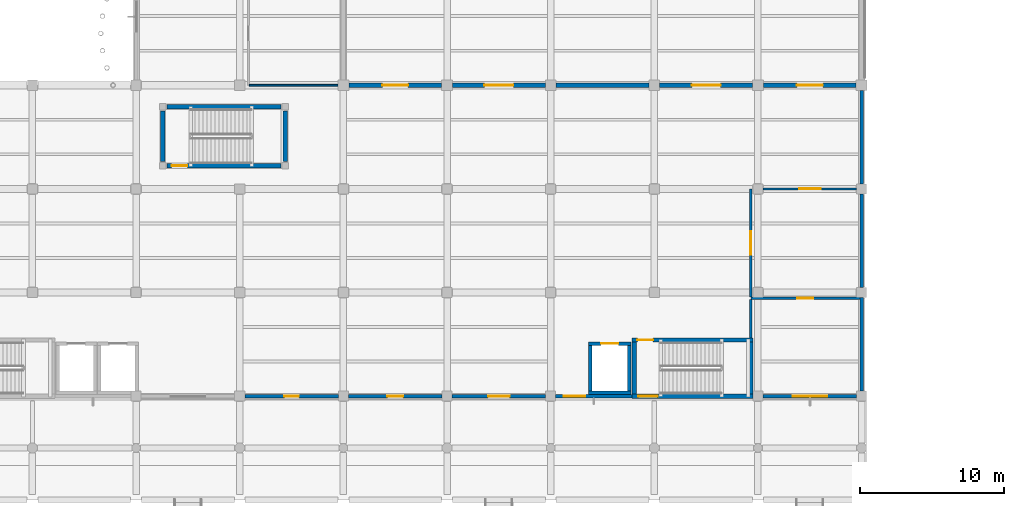
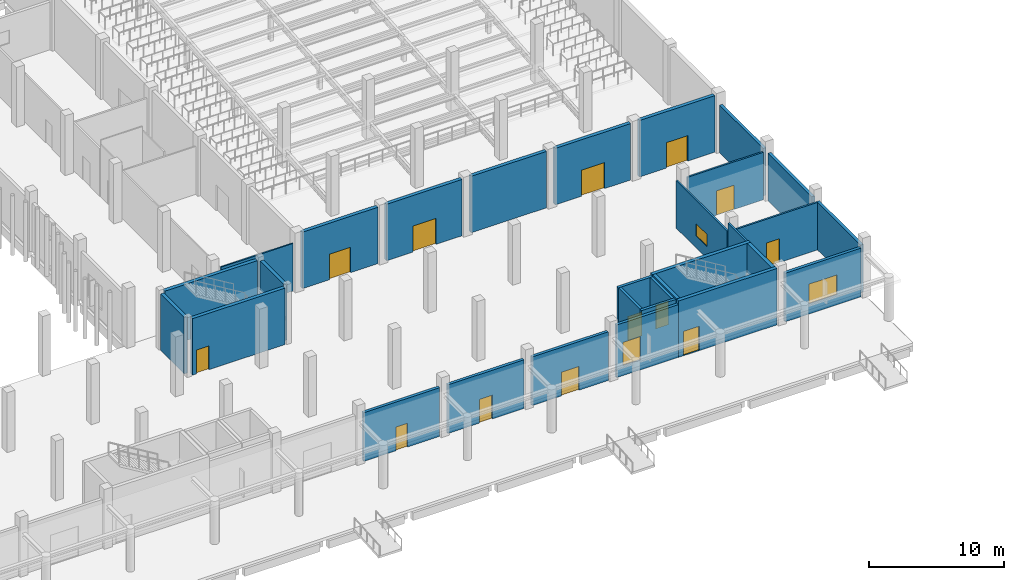
# One storey, part 25 of 46: 30 walls, 13 doors, 3 windows, 16 openings.
"""IFC4 building model written with IfcOpenShell, lengths in metres."""

from ifc_helpers import new_model, si_unit, direction, frame, frame_2d, origin, place, context, subcontext, project, spatial, rectangle, extrude, material, layer, layer_set, type_object, element, fill, save


model = new_model("IFC4")

# Units and contexts
model_context = context("Model", 3, precision=1e-05, world=origin(), true_north=direction((0.0, 1.0)))
body_context = subcontext(model_context, "Body", "Model", "MODEL_VIEW")
ifc_project = project(units=[si_unit("LENGTHUNIT", "METRE"), si_unit("AREAUNIT", "SQUARE_METRE"), si_unit("VOLUMEUNIT", "CUBIC_METRE"), si_unit("PLANEANGLEUNIT", "RADIAN"), si_unit("MASSUNIT", "GRAM", prefix="KILO"), si_unit("THERMODYNAMICTEMPERATUREUNIT", "KELVIN"), si_unit("POWERUNIT", "WATT")], contexts=[model_context])

# Site, building, storey
site_placement = place(None, origin())
site = spatial("IfcSite", under=ifc_project, at=site_placement, CompositionType="ELEMENT")
building_placement = place(site_placement, origin())
building = spatial("IfcBuilding", under=site, at=building_placement, Name="Kaldorven Railside Theatre", CompositionType="ELEMENT")
storey_placement = place(building_placement, origin())
storey = spatial("IfcBuildingStorey", under=building, at=storey_placement, Name="L00", CompositionType="ELEMENT", Elevation=0.0)

# Wall, opening, window
ifc_material_1 = material(Name="Precast concrete C40/50", Category="concrete")
ifc_layer_1 = layer(ifc_material_1, 0.25, Name="Precast concrete C40/50")
ifc_layer_set_1 = layer_set([ifc_layer_1], Name="Precast concrete C40/50")
wall_type_1 = type_object("IfcWallType", Name="WL-EW06", PredefinedType="SOLIDWALL", material=ifc_layer_set_1)
wall_1_placement = place(storey_placement, frame((122.85009765625, 19.199951171875, 0.0), z_axis=(0.0, 0.0, 1.0), x_axis=(-1.0, 0.0, 0.0)))
wall_1 = element("IfcWall", 1, at=wall_1_placement, inside=storey, type_object=wall_type_1, Name="V5 L00 Exterior Wall EW-0195", PredefinedType="SOLIDWALL", context=body_context, shape_type="SweptSolid", body=[
    extrude(rectangle(XDim=6.5, YDim=0.25, at=frame_2d((3.25, 0.0))), origin(), (0.0, 0.0, 1.0), 4.39501953125),
])
opening_1_placement = place(wall_1_placement, frame((2.050048828125, 0.0, 0.89990234375)))
opening_1 = element("IfcOpeningElement", 2, at=opening_1_placement, cuts=wall_1, Name="Opening WN-032", PredefinedType="OPENING", context=body_context, shape_type="SweptSolid", body=[
    extrude(rectangle(XDim=2.39990234375, YDim=1.800048828125, at=frame_2d((1.199951171875, 0.89990234375))), frame((0.0, 0.135009765625, 0.0), z_axis=(0.0, -1.0, 0.0), x_axis=(1.0, 0.0, 0.0)), (0.0, 0.0, 1.0), 0.27001953125),
])
ifc_material_2 = material(Name="Low-E laminated solar-control glass", Category="glass")
window_type_1 = type_object("IfcWindowType", Name="WN-EW07", PartitioningType="SINGLE_PANEL", PredefinedType="WINDOW", material=ifc_material_2)
window_1_placement = place(opening_1_placement, origin())
window_1 = element("IfcWindow", 3, at=window_1_placement, inside=storey, type_object=window_type_1, Name="Shaded Acoustic Exterior Window WN-032", OverallHeight=1.800048828125, OverallWidth=2.39990234375, PartitioningType="SINGLE_PANEL", PredefinedType="WINDOW", context=body_context, shape_type="SweptSolid", body=[
    extrude(rectangle(XDim=2.39990234375, YDim=1.800048828125, at=frame_2d((1.199951171875, 0.89990234375))), frame((0.0, 0.030029296875, 0.0), z_axis=(0.0, -1.0, 0.0), x_axis=(1.0, 0.0, 0.0)), (0.0, 0.0, 1.0), 0.06005859375),
])
fill(opening_1, window_1)

wall_2_placement = place(storey_placement, frame((107.25, 19.199951171875, 0.0), z_axis=(0.0, 0.0, 1.0), x_axis=(-1.0, 0.0, 0.0)))
wall_2 = element("IfcWall", 4, at=wall_2_placement, inside=storey, type_object=wall_type_1, Name="V5 L00 Exterior Wall EW-0196", PredefinedType="SOLIDWALL", context=body_context, shape_type="SweptSolid", body=[
    extrude(rectangle(XDim=5.300048828125, YDim=0.25, at=frame_2d((2.64990234375, 0.0))), origin(), (0.0, 0.0, 1.0), 4.7548828125),
])
opening_2_placement = place(wall_2_placement, frame((3.25, 0.0, 0.89990234375)))
opening_2 = element("IfcOpeningElement", 5, at=opening_2_placement, cuts=wall_2, Name="Opening WN-033", PredefinedType="OPENING", context=body_context, shape_type="SweptSolid", body=[
    extrude(rectangle(XDim=1.5, YDim=2.10009765625, at=frame_2d((0.75, 1.050048828125))), frame((0.0, 0.135009765625, 0.0), z_axis=(0.0, -1.0, 0.0), x_axis=(1.0, 0.0, 0.0)), (0.0, 0.0, 1.0), 0.27001953125),
])
window_type_2 = type_object("IfcWindowType", Name="WN-EW08", PartitioningType="SINGLE_PANEL", PredefinedType="WINDOW", material=ifc_material_2)
window_2_placement = place(opening_2_placement, origin())
window_2 = element("IfcWindow", 6, at=window_2_placement, inside=storey, type_object=window_type_2, Name="Shaded Acoustic Exterior Window WN-033", OverallHeight=2.10009765625, OverallWidth=1.5, PartitioningType="SINGLE_PANEL", PredefinedType="WINDOW", context=body_context, shape_type="SweptSolid", body=[
    extrude(rectangle(XDim=1.5, YDim=2.10009765625, at=frame_2d((0.75, 1.050048828125))), frame((0.0, 0.030029296875, 0.0), z_axis=(0.0, -1.0, 0.0), x_axis=(1.0, 0.0, 0.0)), (0.0, 0.0, 1.0), 0.06005859375),
])
fill(opening_2, window_2)

# Wall, opening, door
wall_3_placement = place(storey_placement, frame((101.25, 19.199951171875, 0.0), z_axis=(0.0, 0.0, 1.0), x_axis=(-1.0, 0.0, 0.0)))
wall_3 = element("IfcWall", 7, at=wall_3_placement, inside=storey, type_object=wall_type_1, Name="V5 L00 Exterior Wall EW-0197", PredefinedType="SOLIDWALL", context=body_context, shape_type="SweptSolid", body=[
    extrude(rectangle(XDim=6.5, YDim=0.25, at=frame_2d((3.25, 0.0))), origin(), (0.0, 0.0, 1.0), 4.39501953125),
])
opening_3_placement = place(wall_3_placement, frame((2.5, 0.0, 0.0)))
opening_3 = element("IfcOpeningElement", 8, at=opening_3_placement, cuts=wall_3, Name="Opening ED-006", PredefinedType="OPENING", context=body_context, shape_type="SweptSolid", body=[
    extrude(rectangle(XDim=1.5, YDim=2.14990234375, at=frame_2d((0.75, 1.074951171875))), frame((0.0, 0.135009765625, 0.0), z_axis=(0.0, -1.0, 0.0), x_axis=(1.0, 0.0, 0.0)), (0.0, 0.0, 1.0), 0.27001953125),
])
ifc_material_3 = material(Name="Powder-coated hollow-metal steel", Category="steel")
door_type_1 = type_object("IfcDoorType", Name="DR-ED08", OperationType="NOTDEFINED", PredefinedType="DOOR", material=ifc_material_3)
door_1_placement = place(opening_3_placement, origin())
door_1 = element("IfcDoor", 9, at=door_1_placement, inside=storey, type_object=door_type_1, Name="Main Entrance ED-006", OperationType="DOUBLE_DOOR_SINGLE_SWING", OverallHeight=2.14990234375, OverallWidth=1.5, PredefinedType="DOOR", context=body_context, shape_type="SweptSolid", body=[
    extrude(rectangle(XDim=1.5, YDim=2.14990234375, at=frame_2d((0.75, 1.074951171875))), frame((0.0, 0.02490234375, 0.0), z_axis=(0.0, -1.0, 0.0), x_axis=(1.0, 0.0, 0.0)), (0.0, 0.0, 1.0), 0.050048828125),
])
fill(opening_3, door_1)

wall_4_placement = place(storey_placement, frame((94.050048828125, 19.199951171875, 0.0), z_axis=(0.0, 0.0, 1.0), x_axis=(-1.0, 0.0, 0.0)))
wall_4 = element("IfcWall", 10, at=wall_4_placement, inside=storey, type_object=wall_type_1, Name="V5 L00 Exterior Wall EW-0198", PredefinedType="SOLIDWALL", context=body_context, shape_type="SweptSolid", body=[
    extrude(rectangle(XDim=6.5, YDim=0.25, at=frame_2d((3.25, 0.0))), origin(), (0.0, 0.0, 1.0), 4.39501953125),
])
opening_4_placement = place(wall_4_placement, frame((2.699951171875, 0.0, 0.0)))
opening_4 = element("IfcOpeningElement", 11, at=opening_4_placement, cuts=wall_4, Name="Opening ED-007", PredefinedType="OPENING", context=body_context, shape_type="SweptSolid", body=[
    extrude(rectangle(XDim=1.10009765625, YDim=2.14990234375, at=frame_2d((0.550048828125, 1.074951171875))), frame((0.0, 0.135009765625, 0.0), z_axis=(0.0, -1.0, 0.0), x_axis=(1.0, 0.0, 0.0)), (0.0, 0.0, 1.0), 0.27001953125),
])
door_type_2 = type_object("IfcDoorType", Name="DR-ED09", OperationType="NOTDEFINED", PredefinedType="DOOR", material=ifc_material_3)
door_2_placement = place(opening_4_placement, origin())
door_2 = element("IfcDoor", 12, at=door_2_placement, inside=storey, type_object=door_type_2, Name="Pedestrian Final Exit ED-007", OperationType="SINGLE_SWING_LEFT", OverallHeight=2.14990234375, OverallWidth=1.10009765625, PredefinedType="DOOR", context=body_context, shape_type="SweptSolid", body=[
    extrude(rectangle(XDim=1.10009765625, YDim=2.14990234375, at=frame_2d((0.550048828125, 1.074951171875))), frame((0.0, 0.02490234375, 0.0), z_axis=(0.0, -1.0, 0.0), x_axis=(1.0, 0.0, 0.0)), (0.0, 0.0, 1.0), 0.050048828125),
])
fill(opening_4, door_2)

wall_5_placement = place(storey_placement, frame((86.85009765625, 19.199951171875, 0.0), z_axis=(0.0, 0.0, 1.0), x_axis=(-1.0, 0.0, 0.0)))
wall_5 = element("IfcWall", 13, at=wall_5_placement, inside=storey, type_object=wall_type_1, Name="V5 L00 Exterior Wall EW-0199", PredefinedType="SOLIDWALL", context=body_context, shape_type="SweptSolid", body=[
    extrude(rectangle(XDim=6.5, YDim=0.25, at=frame_2d((3.25, 0.0))), origin(), (0.0, 0.0, 1.0), 4.39501953125),
])
opening_5_placement = place(wall_5_placement, frame((2.75, 0.0, 0.0)))
opening_5 = element("IfcOpeningElement", 14, at=opening_5_placement, cuts=wall_5, Name="Opening ED-008", PredefinedType="OPENING", context=body_context, shape_type="SweptSolid", body=[
    extrude(rectangle(XDim=1.0, YDim=2.14990234375, at=frame_2d((0.5, 1.074951171875))), frame((0.0, 0.135009765625, 0.0), z_axis=(0.0, -1.0, 0.0), x_axis=(1.0, 0.0, 0.0)), (0.0, 0.0, 1.0), 0.27001953125),
])
ifc_material_4 = material(Name="Anodised bronze aluminium", Category="aluminium")
door_type_3 = type_object("IfcDoorType", Name="DR-ED10", OperationType="NOTDEFINED", PredefinedType="DOOR", material=ifc_material_4)
door_3_placement = place(opening_5_placement, origin())
door_3 = element("IfcDoor", 15, at=door_3_placement, inside=storey, type_object=door_type_3, Name="Pedestrian Final Exit ED-008", OperationType="SINGLE_SWING_LEFT", OverallHeight=2.14990234375, OverallWidth=1.0, PredefinedType="DOOR", context=body_context, shape_type="SweptSolid", body=[
    extrude(rectangle(XDim=1.0, YDim=2.14990234375, at=frame_2d((0.5, 1.074951171875))), frame((0.0, 0.02490234375, 0.0), z_axis=(0.0, -1.0, 0.0), x_axis=(1.0, 0.0, 0.0)), (0.0, 0.0, 1.0), 0.050048828125),
])
fill(opening_5, door_3)

# Walls
wall_6_placement = place(storey_placement, frame((123.199951171875, 40.425048828125, 0.0), z_axis=(0.0, 0.0, 1.0), x_axis=(0.0, -1.0, 0.0)))
element("IfcWall", 16, at=wall_6_placement, inside=storey, type_object=wall_type_1, Name="V5 L00 Exterior Wall EW-0205", PredefinedType="SOLIDWALL", context=body_context, shape_type="SweptSolid", body=[
    extrude(rectangle(XDim=6.47509765625, YDim=0.25, at=frame_2d((3.237548828125, 0.0))), origin(), (0.0, 0.0, 1.0), 4.294921875),
])
for number, where, z_axis, x_axis, name in (
    (17, (123.199951171875, 33.25, 0.0), (0.0, 0.0, 1.0), (0.0, -1.0, 0.0), "V5 L00 Exterior Wall EW-0206"),
    (18, (123.199951171875, 26.050048828125, 0.0), (0.0, 0.0, 1.0), (0.0, -1.0, 0.0), "V5 L00 Exterior Wall EW-0207"),
):
    element("IfcWall", number, at=place(storey_placement, frame(where, z_axis=z_axis, x_axis=x_axis)), inside=storey, type_object=wall_type_1, Name=name, PredefinedType="SOLIDWALL", context=body_context, shape_type="SweptSolid", body=[
        extrude(rectangle(XDim=6.5, YDim=0.25, at=frame_2d((3.25, 0.0))), origin(), (0.0, 0.0, 1.0), 4.294921875),
    ])

# Wall, opening, door
ifc_material_5 = material(Name="Acoustic gypsum board")
ifc_layer_2 = layer(ifc_material_5, 0.14990234375, Name="Acoustic gypsum board")
ifc_layer_set_2 = layer_set([ifc_layer_2], Name="Acoustic gypsum board")
wall_type_2 = type_object("IfcWallType", Name="WL-IW-AC1", PredefinedType="PARTITIONING", material=ifc_layer_set_2)
wall_7_placement = place(storey_placement, frame((123.072998046875, 26.0, 0.0), z_axis=(0.0, 0.0, 1.0), x_axis=(-1.0, 0.0, 0.0)))
wall_7 = element("IfcWall", 19, at=wall_7_placement, inside=storey, type_object=wall_type_2, Name="L00 Interior Wall IW-0477", PredefinedType="PARTITIONING", context=body_context, shape_type="SweptSolid", body=[
    extrude(rectangle(XDim=7.572998046875, YDim=0.14990234375, at=frame_2d((3.78662109375, 0.0))), origin(), (0.0, 0.0, 1.0), 4.294921875),
])
opening_6_placement = place(wall_7_placement, frame((3.236572265625, 0.0, 0.0)))
opening_6 = element("IfcOpeningElement", 20, at=opening_6_placement, cuts=wall_7, Name="Opening ID-0109", PredefinedType="OPENING", context=body_context, shape_type="SweptSolid", body=[
    extrude(rectangle(XDim=1.10009765625, YDim=2.14990234375, at=frame_2d((0.550048828125, 1.074951171875))), frame((0.0, 0.0849609375, 0.0), z_axis=(0.0, -1.0, 0.0), x_axis=(1.0, 0.0, 0.0)), (0.0, 0.0, 1.0), 0.169921875),
])
ifc_material_6 = material(Name="Acoustic hardwood timber", Category="wood")
door_type_4 = type_object("IfcDoorType", Name="DR-ID-FD60", OperationType="NOTDEFINED", PredefinedType="DOOR", material=ifc_material_6)
door_4_placement = place(opening_6_placement, origin())
door_4 = element("IfcDoor", 21, at=door_4_placement, inside=storey, type_object=door_type_4, Name="Fire Command Centre Entry Door", OperationType="SINGLE_SWING_RIGHT", OverallHeight=2.14990234375, OverallWidth=1.10009765625, PredefinedType="DOOR", context=body_context, shape_type="SweptSolid", body=[
    extrude(rectangle(XDim=1.10009765625, YDim=2.14990234375, at=frame_2d((0.550048828125, 1.074951171875))), frame((0.0, 0.02490234375, 0.0), z_axis=(0.0, -1.0, 0.0), x_axis=(1.0, 0.0, 0.0)), (0.0, 0.0, 1.0), 0.050048828125),
])
fill(opening_6, door_4)

# Wall
wall_8_placement = place(storey_placement, frame((115.5, 25.923095703125, 0.0), z_axis=(0.0, 0.0, 1.0), x_axis=(0.0, -1.0, 0.0)))
element("IfcWall", 22, at=wall_8_placement, inside=storey, type_object=wall_type_2, Name="L00 Interior Wall IW-0478", PredefinedType="PARTITIONING", context=body_context, shape_type="SweptSolid", body=[
    extrude(rectangle(XDim=2.671142578125, YDim=0.14990234375, at=frame_2d((1.33544921875, 0.0))), origin(), (0.0, 0.0, 1.0), 5.10009765625),
])

# Wall, opening, door
wall_9_placement = place(storey_placement, frame((122.85009765625, 33.60009765625, 0.0), z_axis=(0.0, 0.0, 1.0), x_axis=(-1.0, 0.0, 0.0)))
wall_9 = element("IfcWall", 23, at=wall_9_placement, inside=storey, type_object=wall_type_2, Name="L00 Interior Wall IW-0479", PredefinedType="PARTITIONING", context=body_context, shape_type="SweptSolid", body=[
    extrude(rectangle(XDim=6.5, YDim=0.14990234375, at=frame_2d((3.25, 0.0))), origin(), (0.0, 0.0, 1.0), 4.294921875),
])
opening_7_placement = place(wall_9_placement, frame((2.5, 0.0, 0.0)))
opening_7 = element("IfcOpeningElement", 24, at=opening_7_placement, cuts=wall_9, Name="Opening ID-0110", PredefinedType="OPENING", context=body_context, shape_type="SweptSolid", body=[
    extrude(rectangle(XDim=1.5, YDim=2.199951171875, at=frame_2d((0.75, 1.10009765625))), frame((0.0, 0.0849609375, 0.0), z_axis=(0.0, -1.0, 0.0), x_axis=(1.0, 0.0, 0.0)), (0.0, 0.0, 1.0), 0.169921875),
])
door_type_5 = type_object("IfcDoorType", Name="DR-ID-REH2", OperationType="NOTDEFINED", PredefinedType="DOOR", material=ifc_material_6)
door_5_placement = place(opening_7_placement, origin())
door_5 = element("IfcDoor", 25, at=door_5_placement, inside=storey, type_object=door_type_5, Name="Theatre Cafe Entry Door", OperationType="DOUBLE_DOOR_SINGLE_SWING", OverallHeight=2.199951171875, OverallWidth=1.5, PredefinedType="DOOR", context=body_context, shape_type="SweptSolid", body=[
    extrude(rectangle(XDim=1.5, YDim=2.199951171875, at=frame_2d((0.75, 1.10009765625))), frame((0.0, 0.02490234375, 0.0), z_axis=(0.0, -1.0, 0.0), x_axis=(1.0, 0.0, 0.0)), (0.0, 0.0, 1.0), 0.050048828125),
])
fill(opening_7, door_5)

# Wall, opening, window
wall_10_placement = place(storey_placement, frame((115.5, 33.60009765625, 0.0), z_axis=(0.0, 0.0, 1.0), x_axis=(0.0, -1.0, 0.0)))
wall_10 = element("IfcWall", 26, at=wall_10_placement, inside=storey, type_object=wall_type_2, Name="L00 Interior Wall IW-0480", PredefinedType="PARTITIONING", context=body_context, shape_type="SweptSolid", body=[
    extrude(rectangle(XDim=7.523193359375, YDim=0.14990234375, at=frame_2d((3.76171875, 0.0))), origin(), (0.0, 0.0, 1.0), 4.294921875),
])
opening_8_placement = place(wall_10_placement, frame((2.96142578125, 0.0, 1.10009765625)))
opening_8 = element("IfcOpeningElement", 27, at=opening_8_placement, cuts=wall_10, Name="Opening IWN-009", PredefinedType="OPENING", context=body_context, shape_type="SweptSolid", body=[
    extrude(rectangle(XDim=1.60009765625, YDim=1.10009765625, at=frame_2d((0.800048828125, 0.550048828125))), frame((0.0, 0.0849609375, 0.0), z_axis=(0.0, -1.0, 0.0), x_axis=(1.0, 0.0, 0.0)), (0.0, 0.0, 1.0), 0.169921875),
])
window_type_3 = type_object("IfcWindowType", Name="WN-IW01", PartitioningType="SINGLE_PANEL", PredefinedType="WINDOW", material=ifc_material_2)
window_3_placement = place(opening_8_placement, origin())
window_3 = element("IfcWindow", 28, at=window_3_placement, inside=storey, type_object=window_type_3, Name="Acoustic Observation Window IWN-009", OverallHeight=1.10009765625, OverallWidth=1.60009765625, PartitioningType="SINGLE_PANEL", PredefinedType="WINDOW", context=body_context, shape_type="SweptSolid", body=[
    extrude(rectangle(XDim=1.60009765625, YDim=1.10009765625, at=frame_2d((0.800048828125, 0.550048828125))), frame((0.0, 0.030029296875, 0.0), z_axis=(0.0, -1.0, 0.0), x_axis=(1.0, 0.0, 0.0)), (0.0, 0.0, 1.0), 0.06005859375),
])
fill(opening_8, window_3)

# Wall, opening, door
ifc_material_7 = material(Name="Concrete C40/50", Category="concrete")
ifc_layer_3 = layer(ifc_material_7, 0.300048828125, Name="Concrete C40/50")
ifc_layer_set_3 = layer_set([ifc_layer_3], Name="Concrete C40/50")
wall_type_3 = type_object("IfcWallType", Name="WL-IW-CORE", PredefinedType="SHEAR", material=ifc_layer_set_3)
wall_11_placement = place(storey_placement, frame((115.64990234375, 19.199951171875, 0.0), z_axis=(0.0, 0.0, 1.0), x_axis=(-1.0, 0.0, 0.0)))
wall_11 = element("IfcWall", 29, at=wall_11_placement, inside=storey, type_object=wall_type_3, Name="L00 Core Wall CW-0093", PredefinedType="SHEAR", context=body_context, shape_type="SweptSolid", body=[
    extrude(rectangle(XDim=8.39990234375, YDim=0.300048828125, at=frame_2d((4.199951171875, 0.0))), origin(), (0.0, 0.0, 1.0), 5.10009765625),
])
opening_9_placement = place(wall_11_placement, frame((6.625, 0.0, 0.0)))
opening_9 = element("IfcOpeningElement", 30, at=opening_9_placement, cuts=wall_11, Name="Opening ED-203", PredefinedType="OPENING", context=body_context, shape_type="SweptSolid", body=[
    extrude(rectangle(XDim=1.35009765625, YDim=2.199951171875, at=frame_2d((0.675048828125, 1.10009765625))), frame((0.0, 0.16015625, 0.0), z_axis=(0.0, -1.0, 0.0), x_axis=(1.0, 0.0, 0.0)), (0.0, 0.0, 1.0), 0.320068359375),
])
door_type_6 = type_object("IfcDoorType", Name="DR-ED04", OperationType="NOTDEFINED", PredefinedType="DOOR", material=ifc_material_3)
door_6_placement = place(opening_9_placement, origin())
door_6 = element("IfcDoor", 31, at=door_6_placement, inside=storey, type_object=door_type_6, Name="Pedestrian Final Exit (ST-04)", OperationType="SINGLE_SWING_LEFT", OverallHeight=2.199951171875, OverallWidth=1.35009765625, PredefinedType="DOOR", context=body_context, shape_type="SweptSolid", body=[
    extrude(rectangle(XDim=1.35009765625, YDim=2.199951171875, at=frame_2d((0.675048828125, 1.10009765625))), frame((0.0, 0.02490234375, 0.0), z_axis=(0.0, -1.0, 0.0), x_axis=(1.0, 0.0, 0.0)), (0.0, 0.0, 1.0), 0.050048828125),
])
fill(opening_9, door_6)

# Wall
wall_12_placement = place(storey_placement, frame((107.39990234375, 19.35205078125, 0.0), z_axis=(0.0, 0.0, 1.0), x_axis=(0.0, 1.0, 0.0)))
element("IfcWall", 32, at=wall_12_placement, inside=storey, type_object=wall_type_3, Name="L00 Core Wall CW-0094", PredefinedType="SHEAR", context=body_context, shape_type="SweptSolid", body=[
    extrude(rectangle(XDim=3.597900390625, YDim=0.300048828125, at=frame_2d((1.798828125, 0.0))), origin(), (0.0, 0.0, 1.0), 5.10009765625),
])

# Wall, opening, door
wall_13_placement = place(storey_placement, frame((107.25, 23.10009765625, 0.0), z_axis=(0.0, 0.0, 1.0), x_axis=(1.0, 0.0, 0.0)))
wall_13 = element("IfcWall", 33, at=wall_13_placement, inside=storey, type_object=wall_type_3, Name="L00 Core Wall CW-0095", PredefinedType="SHEAR", context=body_context, shape_type="SweptSolid", body=[
    extrude(rectangle(XDim=8.39990234375, YDim=0.300048828125, at=frame_2d((4.199951171875, 0.0))), origin(), (0.0, 0.0, 1.0), 5.10009765625),
])
opening_10_placement = place(wall_13_placement, frame((0.3701171875, 0.0, 0.0)))
opening_10 = element("IfcOpeningElement", 34, at=opening_10_placement, cuts=wall_13, Name="Opening ID-0014", PredefinedType="OPENING", context=body_context, shape_type="SweptSolid", body=[
    extrude(rectangle(XDim=1.10009765625, YDim=2.14990234375, at=frame_2d((0.550048828125, 1.074951171875))), frame((0.0, 0.16015625, 0.0), z_axis=(0.0, -1.0, 0.0), x_axis=(1.0, 0.0, 0.0)), (0.0, 0.0, 1.0), 0.320068359375),
])
door_7_placement = place(opening_10_placement, origin())
door_7 = element("IfcDoor", 35, at=door_7_placement, inside=storey, type_object=door_type_4, Name="Stair ST-04 Fire Door", OperationType="SINGLE_SWING_RIGHT", OverallHeight=2.14990234375, OverallWidth=1.10009765625, PredefinedType="DOOR", context=body_context, shape_type="SweptSolid", body=[
    extrude(rectangle(XDim=1.10009765625, YDim=2.14990234375, at=frame_2d((0.550048828125, 1.074951171875))), frame((0.0, 0.02490234375, 0.0), z_axis=(0.0, -1.0, 0.0), x_axis=(1.0, 0.0, 0.0)), (0.0, 0.0, 1.0), 0.050048828125),
])
fill(opening_10, door_7)

# Wall
wall_14_placement = place(storey_placement, frame((115.5, 22.947998046875, 0.0), z_axis=(0.0, 0.0, 1.0), x_axis=(0.0, -1.0, 0.0)))
element("IfcWall", 36, at=wall_14_placement, inside=storey, type_object=wall_type_3, Name="L00 Core Wall CW-0096", PredefinedType="SHEAR", context=body_context, shape_type="SweptSolid", body=[
    extrude(rectangle(XDim=3.595947265625, YDim=0.300048828125, at=frame_2d((1.7978515625, 0.0))), origin(), (0.0, 0.0, 1.0), 5.10009765625),
])

# Wall, opening, door
wall_15_placement = place(storey_placement, frame((82.85009765625, 35.199951171875, 0.0), z_axis=(0.0, 0.0, 1.0), x_axis=(-1.0, 0.0, 0.0)))
wall_15 = element("IfcWall", 37, at=wall_15_placement, inside=storey, type_object=wall_type_3, Name="L00 Core Wall CW-0289", PredefinedType="SHEAR", context=body_context, shape_type="SweptSolid", body=[
    extrude(rectangle(XDim=7.900146484375, YDim=0.300048828125, at=frame_2d((3.9501953125, 0.0))), origin(), (0.0, 0.0, 1.0), 5.10009765625),
])
opening_11_placement = place(wall_15_placement, frame((6.47998046875, 0.0, 0.0)))
opening_11 = element("IfcOpeningElement", 38, at=opening_11_placement, cuts=wall_15, Name="Opening ID-0046", PredefinedType="OPENING", context=body_context, shape_type="SweptSolid", body=[
    extrude(rectangle(XDim=1.10009765625, YDim=2.14990234375, at=frame_2d((0.550048828125, 1.074951171875))), frame((0.0, 0.16015625, 0.0), z_axis=(0.0, -1.0, 0.0), x_axis=(1.0, 0.0, 0.0)), (0.0, 0.0, 1.0), 0.320068359375),
])
door_8_placement = place(opening_11_placement, origin())
door_8 = element("IfcDoor", 39, at=door_8_placement, inside=storey, type_object=door_type_4, Name="Stair ST-07 Fire Door", OperationType="SINGLE_SWING_RIGHT", OverallHeight=2.14990234375, OverallWidth=1.10009765625, PredefinedType="DOOR", context=body_context, shape_type="SweptSolid", body=[
    extrude(rectangle(XDim=1.10009765625, YDim=2.14990234375, at=frame_2d((0.550048828125, 1.074951171875))), frame((0.0, 0.02490234375, 0.0), z_axis=(0.0, -1.0, 0.0), x_axis=(1.0, 0.0, 0.0)), (0.0, 0.0, 1.0), 0.050048828125),
])
fill(opening_11, door_8)

# Walls
wall_16_placement = place(storey_placement, frame((74.64990234375, 35.5, 0.0), z_axis=(0.0, 0.0, 1.0), x_axis=(0.0, 1.0, 0.0)))
element("IfcWall", 40, at=wall_16_placement, inside=storey, type_object=wall_type_3, Name="L00 Core Wall CW-0290", PredefinedType="SHEAR", context=body_context, shape_type="SweptSolid", body=[
    extrude(rectangle(XDim=3.5, YDim=0.300048828125, at=frame_2d((1.75, 0.0))), origin(), (0.0, 0.0, 1.0), 5.10009765625),
])
wall_17_placement = place(storey_placement, frame((74.949951171875, 39.300048828125, 0.0), z_axis=(0.0, 0.0, 1.0), x_axis=(1.0, 0.0, 0.0)))
element("IfcWall", 41, at=wall_17_placement, inside=storey, type_object=wall_type_3, Name="L00 Core Wall CW-0291", PredefinedType="SHEAR", context=body_context, shape_type="SweptSolid", body=[
    extrude(rectangle(XDim=7.900146484375, YDim=0.300048828125, at=frame_2d((3.9501953125, 0.0))), origin(), (0.0, 0.0, 1.0), 5.10009765625),
])
wall_18_placement = place(storey_placement, frame((83.14990234375, 39.0, 0.0), z_axis=(0.0, 0.0, 1.0), x_axis=(0.0, -1.0, 0.0)))
element("IfcWall", 42, at=wall_18_placement, inside=storey, type_object=wall_type_3, Name="L00 Core Wall CW-0292", PredefinedType="SHEAR", context=body_context, shape_type="SweptSolid", body=[
    extrude(rectangle(XDim=3.5, YDim=0.300048828125, at=frame_2d((1.75, 0.0))), origin(), (0.0, 0.0, 1.0), 5.10009765625),
])

# Wall, opening, door
wall_19_placement = place(storey_placement, frame((87.574951171875, 40.800048828125, 0.0), z_axis=(0.0, 0.0, 1.0), x_axis=(1.0, 0.0, 0.0)))
wall_19 = element("IfcWall", 43, at=wall_19_placement, inside=storey, type_object=wall_type_3, Name="L00 Interior Wall AW-0335", PredefinedType="SHEAR", context=body_context, shape_type="SweptSolid", body=[
    extrude(rectangle(XDim=6.449951171875, YDim=0.300048828125, at=frame_2d((3.22509765625, 0.0))), origin(), (0.0, 0.0, 1.0), 5.10009765625),
])
opening_12_placement = place(wall_19_placement, frame((2.324951171875, 0.0, 0.0)))
opening_12 = element("IfcOpeningElement", 44, at=opening_12_placement, cuts=wall_19, Name="Opening ID-0058", PredefinedType="OPENING", context=body_context, shape_type="SweptSolid", body=[
    extrude(rectangle(XDim=1.800048828125, YDim=2.300048828125, at=frame_2d((0.89990234375, 1.14990234375))), frame((0.0, 0.16015625, 0.0), z_axis=(0.0, -1.0, 0.0), x_axis=(1.0, 0.0, 0.0)), (0.0, 0.0, 1.0), 0.320068359375),
])
door_type_7 = type_object("IfcDoorType", Name="DR-ID-SL60", OperationType="NOTDEFINED", PredefinedType="DOOR", material=ifc_material_6)
door_9_placement = place(opening_12_placement, origin())
door_9 = element("IfcDoor", 45, at=door_9_placement, inside=storey, type_object=door_type_7, Name="L00 Auditorium Sound-Lock Portal", OperationType="DOUBLE_DOOR_SINGLE_SWING", OverallHeight=2.300048828125, OverallWidth=1.800048828125, PredefinedType="DOOR", context=body_context, shape_type="SweptSolid", body=[
    extrude(rectangle(XDim=1.800048828125, YDim=2.300048828125, at=frame_2d((0.89990234375, 1.14990234375))), frame((0.0, 0.02490234375, 0.0), z_axis=(0.0, -1.0, 0.0), x_axis=(1.0, 0.0, 0.0)), (0.0, 0.0, 1.0), 0.050048828125),
])
fill(opening_12, door_9)

wall_20_placement = place(storey_placement, frame((94.77490234375, 40.800048828125, 0.0), z_axis=(0.0, 0.0, 1.0), x_axis=(1.0, 0.0, 0.0)))
wall_20 = element("IfcWall", 46, at=wall_20_placement, inside=storey, type_object=wall_type_3, Name="L00 Interior Wall AW-0336", PredefinedType="SHEAR", context=body_context, shape_type="SweptSolid", body=[
    extrude(rectangle(XDim=6.4501953125, YDim=0.300048828125, at=frame_2d((3.22509765625, 0.0))), origin(), (0.0, 0.0, 1.0), 5.10009765625),
])
opening_13_placement = place(wall_20_placement, frame((2.22509765625, 0.0, 0.0)))
opening_13 = element("IfcOpeningElement", 47, at=opening_13_placement, cuts=wall_20, Name="Opening ID-0059", PredefinedType="OPENING", context=body_context, shape_type="SweptSolid", body=[
    extrude(rectangle(XDim=2.0, YDim=2.35009765625, at=frame_2d((1.0, 1.175048828125))), frame((0.0, 0.16015625, 0.0), z_axis=(0.0, -1.0, 0.0), x_axis=(1.0, 0.0, 0.0)), (0.0, 0.0, 1.0), 0.320068359375),
])
door_type_8 = type_object("IfcDoorType", Name="DR-ID-AUD2", OperationType="NOTDEFINED", PredefinedType="DOOR", material=ifc_material_6)
door_10_placement = place(opening_13_placement, origin())
door_10 = element("IfcDoor", 48, at=door_10_placement, inside=storey, type_object=door_type_8, Name="L00 Auditorium Sound-Lock Portal", OperationType="DOUBLE_DOOR_SINGLE_SWING", OverallHeight=2.35009765625, OverallWidth=2.0, PredefinedType="DOOR", context=body_context, shape_type="SweptSolid", body=[
    extrude(rectangle(XDim=2.0, YDim=2.35009765625, at=frame_2d((1.0, 1.175048828125))), frame((0.0, 0.02490234375, 0.0), z_axis=(0.0, -1.0, 0.0), x_axis=(1.0, 0.0, 0.0)), (0.0, 0.0, 1.0), 0.050048828125),
])
fill(opening_13, door_10)

# Wall
wall_21_placement = place(storey_placement, frame((101.97509765625, 40.800048828125, 0.0), z_axis=(0.0, 0.0, 1.0), x_axis=(1.0, 0.0, 0.0)))
element("IfcWall", 49, at=wall_21_placement, inside=storey, type_object=wall_type_3, Name="L00 Interior Wall AW-0337", PredefinedType="SHEAR", context=body_context, shape_type="SweptSolid", body=[
    extrude(rectangle(XDim=6.449951171875, YDim=0.300048828125, at=frame_2d((3.22509765625, 0.0))), origin(), (0.0, 0.0, 1.0), 5.10009765625),
])

# Wall, opening, door
wall_22_placement = place(storey_placement, frame((109.175048828125, 40.800048828125, 0.0), z_axis=(0.0, 0.0, 1.0), x_axis=(1.0, 0.0, 0.0)))
wall_22 = element("IfcWall", 50, at=wall_22_placement, inside=storey, type_object=wall_type_3, Name="L00 Interior Wall AW-0338", PredefinedType="SHEAR", context=body_context, shape_type="SweptSolid", body=[
    extrude(rectangle(XDim=6.449951171875, YDim=0.300048828125, at=frame_2d((3.22509765625, 0.0))), origin(), (0.0, 0.0, 1.0), 5.10009765625),
])
opening_14_placement = place(wall_22_placement, frame((2.22509765625, 0.0, 0.0)))
opening_14 = element("IfcOpeningElement", 51, at=opening_14_placement, cuts=wall_22, Name="Opening ID-0060", PredefinedType="OPENING", context=body_context, shape_type="SweptSolid", body=[
    extrude(rectangle(XDim=2.0, YDim=2.35009765625, at=frame_2d((1.0, 1.175048828125))), frame((0.0, 0.16015625, 0.0), z_axis=(0.0, -1.0, 0.0), x_axis=(1.0, 0.0, 0.0)), (0.0, 0.0, 1.0), 0.320068359375),
])
door_11_placement = place(opening_14_placement, origin())
door_11 = element("IfcDoor", 52, at=door_11_placement, inside=storey, type_object=door_type_8, Name="L00 Auditorium Sound-Lock Portal", OperationType="DOUBLE_DOOR_SINGLE_SWING", OverallHeight=2.35009765625, OverallWidth=2.0, PredefinedType="DOOR", context=body_context, shape_type="SweptSolid", body=[
    extrude(rectangle(XDim=2.0, YDim=2.35009765625, at=frame_2d((1.0, 1.175048828125))), frame((0.0, 0.02490234375, 0.0), z_axis=(0.0, -1.0, 0.0), x_axis=(1.0, 0.0, 0.0)), (0.0, 0.0, 1.0), 0.050048828125),
])
fill(opening_14, door_11)

wall_23_placement = place(storey_placement, frame((116.375, 40.800048828125, 0.0), z_axis=(0.0, 0.0, 1.0), x_axis=(1.0, 0.0, 0.0)))
wall_23 = element("IfcWall", 53, at=wall_23_placement, inside=storey, type_object=wall_type_3, Name="L00 Interior Wall AW-0339", PredefinedType="SHEAR", context=body_context, shape_type="SweptSolid", body=[
    extrude(rectangle(XDim=6.449951171875, YDim=0.300048828125, at=frame_2d((3.22509765625, 0.0))), origin(), (0.0, 0.0, 1.0), 5.10009765625),
])
opening_15_placement = place(wall_23_placement, frame((2.324951171875, 0.0, 0.0)))
opening_15 = element("IfcOpeningElement", 54, at=opening_15_placement, cuts=wall_23, Name="Opening ID-0061", PredefinedType="OPENING", context=body_context, shape_type="SweptSolid", body=[
    extrude(rectangle(XDim=1.800048828125, YDim=2.300048828125, at=frame_2d((0.89990234375, 1.14990234375))), frame((0.0, 0.16015625, 0.0), z_axis=(0.0, -1.0, 0.0), x_axis=(1.0, 0.0, 0.0)), (0.0, 0.0, 1.0), 0.320068359375),
])
door_12_placement = place(opening_15_placement, origin())
door_12 = element("IfcDoor", 55, at=door_12_placement, inside=storey, type_object=door_type_7, Name="L00 Auditorium Sound-Lock Portal", OperationType="DOUBLE_DOOR_SINGLE_SWING", OverallHeight=2.300048828125, OverallWidth=1.800048828125, PredefinedType="DOOR", context=body_context, shape_type="SweptSolid", body=[
    extrude(rectangle(XDim=1.800048828125, YDim=2.300048828125, at=frame_2d((0.89990234375, 1.14990234375))), frame((0.0, 0.02490234375, 0.0), z_axis=(0.0, -1.0, 0.0), x_axis=(1.0, 0.0, 0.0)), (0.0, 0.0, 1.0), 0.050048828125),
])
fill(opening_15, door_12)

# Walls
ifc_material_8 = material(Name="Fire-rated acoustic gypsum board")
ifc_layer_4 = layer(ifc_material_8, 0.1201171875, Name="Fire-rated acoustic gypsum board")
ifc_layer_set_4 = layer_set([ifc_layer_4], Name="Fire-rated acoustic gypsum board")
wall_type_4 = type_object("IfcWallType", Name="WL-IW-PT1", PredefinedType="PARTITIONING", material=ifc_layer_set_4)
wall_24_placement = place(storey_placement, frame((80.662109375, 40.800048828125, 0.0), z_axis=(0.0, 0.0, 1.0), x_axis=(1.0, 0.0, 0.0)))
element("IfcWall", 56, at=wall_24_placement, inside=storey, type_object=wall_type_4, Name="L00 Interior Wall IW-0484", PredefinedType="PARTITIONING", context=body_context, shape_type="SweptSolid", body=[
    extrude(rectangle(XDim=6.162841796875, YDim=0.1201171875, at=frame_2d((3.08154296875, 0.0))), origin(), (0.0, 0.0, 1.0), 4.294921875),
])
ifc_layer_5 = layer(ifc_material_7, 0.239990234375, Name="Concrete C40/50")
ifc_layer_set_5 = layer_set([ifc_layer_5], Name="Concrete C40/50")
wall_type_5 = type_object("IfcWallType", Name="WL-IW-SHAFT", PredefinedType="SHEAR", material=ifc_layer_set_5)
wall_25_placement = place(storey_placement, frame((107.169921875, 19.449951171875, 0.0), z_axis=(0.0, 0.0, 1.0), x_axis=(-1.0, 0.0, 0.0)))
element("IfcWall", 57, at=wall_25_placement, inside=storey, type_object=wall_type_5, Name="L00 Interior Wall SW-0113", PredefinedType="SHEAR", context=body_context, shape_type="SweptSolid", body=[
    extrude(rectangle(XDim=2.93994140625, YDim=0.239990234375, at=frame_2d((1.469970703125, 0.0))), origin(), (0.0, 0.0, 1.0), 5.10009765625),
])
wall_26_placement = place(storey_placement, frame((104.35009765625, 19.572021484375, 0.0), z_axis=(0.0, 0.0, 1.0), x_axis=(0.0, 1.0, 0.0)))
element("IfcWall", 58, at=wall_26_placement, inside=storey, type_object=wall_type_5, Name="L00 Interior Wall SW-0114", PredefinedType="SHEAR", context=body_context, shape_type="SweptSolid", body=[
    extrude(rectangle(XDim=3.157958984375, YDim=0.239990234375, at=frame_2d((1.5791015625, 0.0))), origin(), (0.0, 0.0, 1.0), 5.10009765625),
])

# Wall, opening, door
wall_27_placement = place(storey_placement, frame((104.22998046875, 22.85009765625, 0.0), z_axis=(0.0, 0.0, 1.0), x_axis=(1.0, 0.0, 0.0)))
wall_27 = element("IfcWall", 59, at=wall_27_placement, inside=storey, type_object=wall_type_5, Name="L00 Interior Wall SW-0115", PredefinedType="SHEAR", context=body_context, shape_type="SweptSolid", body=[
    extrude(rectangle(XDim=2.93994140625, YDim=0.239990234375, at=frame_2d((1.469970703125, 0.0))), origin(), (0.0, 0.0, 1.0), 5.10009765625),
])
opening_16_placement = place(wall_27_placement, frame((0.8701171875, 0.0, 0.0)))
opening_16 = element("IfcOpeningElement", 60, at=opening_16_placement, cuts=wall_27, Name="Opening LD-012", PredefinedType="OPENING", context=body_context, shape_type="SweptSolid", body=[
    extrude(rectangle(XDim=1.199951171875, YDim=2.14990234375, at=frame_2d((0.60009765625, 1.074951171875))), frame((0.0, 0.1298828125, 0.0), z_axis=(0.0, -1.0, 0.0), x_axis=(1.0, 0.0, 0.0)), (0.0, 0.0, 1.0), 0.260009765625),
])
door_type_9 = type_object("IfcDoorType", Name="DR-LD-PASS", OperationType="NOTDEFINED", PredefinedType="DOOR", material=ifc_material_3)
door_13_placement = place(opening_16_placement, origin())
door_13 = element("IfcDoor", 61, at=door_13_placement, inside=storey, type_object=door_type_9, Name="Lift LF-P3 Sliding Landing Door", OperationType="DOUBLE_DOOR_SLIDING", OverallHeight=2.14990234375, OverallWidth=1.199951171875, PredefinedType="DOOR", context=body_context, shape_type="SweptSolid", body=[
    extrude(rectangle(XDim=1.199951171875, YDim=2.14990234375, at=frame_2d((0.60009765625, 1.074951171875))), frame((0.0, 0.02490234375, 0.0), z_axis=(0.0, -1.0, 0.0), x_axis=(1.0, 0.0, 0.0)), (0.0, 0.0, 1.0), 0.050048828125),
])
fill(opening_16, door_13)

# Wall
wall_28_placement = place(storey_placement, frame((107.050048828125, 22.72802734375, 0.0), z_axis=(0.0, 0.0, 1.0), x_axis=(0.0, -1.0, 0.0)))
element("IfcWall", 62, at=wall_28_placement, inside=storey, type_object=wall_type_5, Name="L00 Interior Wall SW-0116", PredefinedType="SHEAR", context=body_context, shape_type="SweptSolid", body=[
    extrude(rectangle(XDim=3.156005859375, YDim=0.239990234375, at=frame_2d((1.578125, 0.0))), origin(), (0.0, 0.0, 1.0), 5.10009765625),
])

save(model, "model.ifc")
